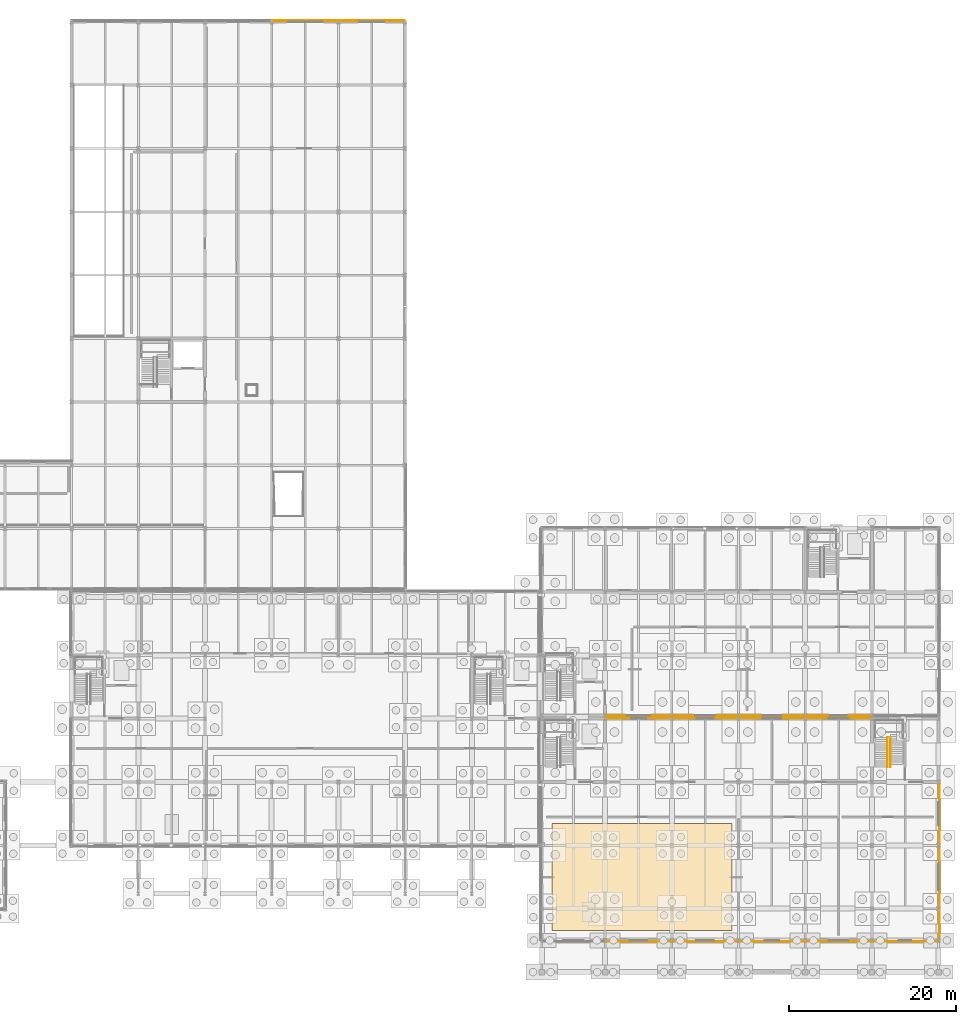
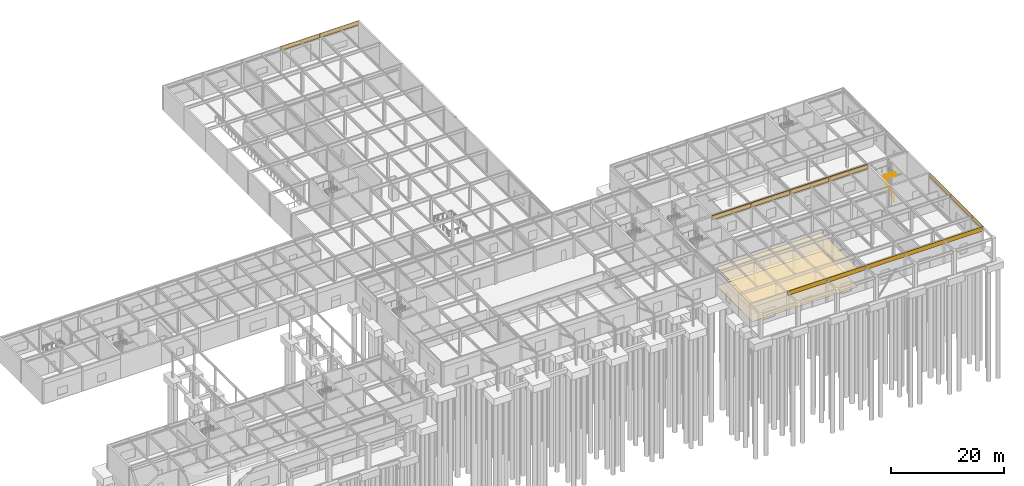
# One storey, part 60 of 62: 20 coverings, 2 railings.
"""IFC4 building model written with IfcOpenShell, lengths in metres."""

import ifcopenshell
import ifcopenshell.guid

model = None  # the IFC model being written
_history = None  # IfcOwnerHistory: only IFC2X3 demands one
_inside = {}  # id of a spatial element -> (the spatial element, [elements in it])
_under = {}  # id of a project, library or spatial element -> (it, [spatial elements below it])
_declared = {}  # id of a project -> (the project, [libraries it declares])
_typed = {}  # id of a type object -> (the type object, [elements of that type])
_made_of = {}  # id of a material, layer set ... -> (it, [elements and type objects made of it])


def new_model(schema):
    """Start an empty IFC model of exactly this schema.

    Asked for "IFC4X3", IfcOpenShell would pick the latest addendum, in which some entities
    have other attributes; the version numbers below select the first issue.
    IFC2X3 requires an IfcOwnerHistory on every rooted entity: one is made here for all.
    """
    global model, _history
    if schema == "IFC4X3":
        model = ifcopenshell.file(schema_version=(4, 3, 0, 0))
    else:
        model = ifcopenshell.file(schema=schema)
    _inside.clear()
    _under.clear()
    _declared.clear()
    _typed.clear()
    _made_of.clear()
    _history = None
    if model.schema == "IFC2X3":
        org = make("IfcOrganization", Name="unknown")
        user = make(
            "IfcPersonAndOrganization",
            ThePerson=make("IfcPerson", FamilyName="unknown"),
            TheOrganization=org,
        )
        app = make(
            "IfcApplication",
            ApplicationDeveloper=org,
            Version="unknown",
            ApplicationFullName="unknown",
            ApplicationIdentifier="unknown",
        )
        _history = make(
            "IfcOwnerHistory",
            OwningUser=user,
            OwningApplication=app,
            ChangeAction="ADDED",
            CreationDate=0,
        )
    return model


def make(cls, **values):
    """One entity of the class cls with the attributes given. An attribute that is None is left unset."""
    return model.create_entity(
        cls, **{name: value for name, value in values.items() if value is not None}
    )


def rooted(cls, **values):
    """An entity with a GlobalId (a new one), such as an element, a storey or a relation."""
    return make(cls, GlobalId=ifcopenshell.guid.new(), OwnerHistory=_history, **values)


def si_unit(unit_type, name, prefix=None):
    """IfcSIUnit, for example si_unit("LENGTHUNIT", "METRE", prefix="MILLI")."""
    return make("IfcSIUnit", UnitType=unit_type, Prefix=prefix, Name=name)


def assignment(units):
    """IfcUnitAssignment: the units of a project."""
    return None if units is None else make("IfcUnitAssignment", Units=units)


def point(xyz):
    """IfcCartesianPoint."""
    return None if xyz is None else make("IfcCartesianPoint", Coordinates=xyz)


def direction(xyz):
    """IfcDirection."""
    return None if xyz is None else make("IfcDirection", DirectionRatios=xyz)


def frame(location, z_axis=None, x_axis=None):
    """IfcAxis2Placement3D, a coordinate frame: its origin and axes. An axis left out is left unset."""
    return make(
        "IfcAxis2Placement3D",
        Location=point(location),
        Axis=direction(z_axis),
        RefDirection=direction(x_axis),
    )


def frame_2d(location, x_axis=None):
    """IfcAxis2Placement2D, a coordinate frame in the plane: its origin and x axis."""
    return make(
        "IfcAxis2Placement2D", Location=point(location), RefDirection=direction(x_axis)
    )


def origin():
    """The frame at (0, 0, 0) with its axes left unset."""
    return frame((0.0, 0.0, 0.0))


def origin_2d():
    """The frame at (0, 0) in the plane with its x axis left unset."""
    return frame_2d((0.0, 0.0))


def place(relative_to, where):
    """IfcLocalPlacement: puts the frame where relative to a parent placement (None: the world)."""
    return make(
        "IfcLocalPlacement", PlacementRelTo=relative_to, RelativePlacement=where
    )


def context(
    kind, dimensions, precision=None, world=None, true_north=None, identifier=None
):
    """IfcGeometricRepresentationContext, for example the 3D "Model" context."""
    return make(
        "IfcGeometricRepresentationContext",
        ContextIdentifier=identifier,
        ContextType=kind,
        CoordinateSpaceDimension=dimensions,
        Precision=precision,
        WorldCoordinateSystem=world,
        TrueNorth=true_north,
    )


def subcontext(parent, identifier, kind, view, scale=None):
    """IfcGeometricRepresentationSubContext, for example "Body" below "Model"."""
    return make(
        "IfcGeometricRepresentationSubContext",
        ContextIdentifier=identifier,
        ContextType=kind,
        ParentContext=parent,
        TargetScale=scale,
        TargetView=view,
    )


def project(units=None, contexts=None):
    """IfcProject with its units and contexts."""
    return rooted(
        "IfcProject",
        Name="project",
        RepresentationContexts=contexts,
        UnitsInContext=assignment(units),
    )


def spatial(cls, under=None, at=None, **own):
    """A site, building, storey or space (cls), placed at a placement, below another one or the project."""
    s = rooted(cls, ObjectPlacement=at, **own)
    if under is not None:
        _under.setdefault(under.id(), (under, []))[1].append(s)
    return s


def polyline(points):
    """IfcPolyline through the points."""
    return make("IfcPolyline", Points=[point(p) for p in points])


def profile(cls, at=None, kind="AREA", **sizes):
    """A parametric profile (cls). Its sizes go by their IFC names, for example OverallWidth=200.0."""
    return make(cls, ProfileType=kind, Position=at, **sizes)


def rectangle(**sizes):
    """IfcRectangleProfileDef."""
    return profile("IfcRectangleProfileDef", **sizes)


def circle(**sizes):
    """IfcCircleProfileDef."""
    return profile("IfcCircleProfileDef", **sizes)


def outline(outer, holes=None, kind="AREA"):
    """IfcArbitraryClosedProfileDef: a profile drawn as a closed curve; with holes, ...WithVoids."""
    if holes is None:
        return make("IfcArbitraryClosedProfileDef", ProfileType=kind, OuterCurve=outer)
    return make(
        "IfcArbitraryProfileDefWithVoids",
        ProfileType=kind,
        OuterCurve=outer,
        InnerCurves=holes,
    )


def extrude(swept, where, along, depth):
    """IfcExtrudedAreaSolid: the profile swept, set in the frame where, extruded along a direction by depth."""
    return make(
        "IfcExtrudedAreaSolid",
        SweptArea=swept,
        Position=where,
        ExtrudedDirection=direction(along),
        Depth=depth,
    )


def shape(context_of_items, identifier, shape_type, items):
    """IfcShapeRepresentation: the items that make up one representation, for example the "Body"."""
    return make(
        "IfcShapeRepresentation",
        ContextOfItems=context_of_items,
        RepresentationIdentifier=identifier,
        RepresentationType=shape_type,
        Items=items,
    )


def material(Name=None, Category=None):
    """IfcMaterial."""
    return make("IfcMaterial", Name=Name, Category=Category)


def layer(
    of_material, thickness, ventilated=None, Name=None, Category=None, Priority=None
):
    """IfcMaterialLayer: one layer of a wall or slab, of a material (None: an air gap)."""
    return make(
        "IfcMaterialLayer",
        Material=of_material,
        LayerThickness=thickness,
        IsVentilated=ventilated,
        Name=Name,
        Category=Category,
        Priority=Priority,
    )


def layer_set(layers, Name=None):
    """IfcMaterialLayerSet."""
    return make("IfcMaterialLayerSet", MaterialLayers=layers, LayerSetName=Name)


def made_of(thing, what):
    """Note that an element or type object is made of a material, layer set ...; save() writes the relation."""
    if what is not None:
        _made_of.setdefault(what.id(), (what, []))[1].append(thing)
    return thing


def type_object(cls, material=None, **own):
    """A type object (cls), such as IfcWallType, which elements share."""
    return made_of(rooted(cls, **own), material)


def element(
    cls,
    number,
    at=None,
    inside=None,
    cuts=None,
    type_object=None,
    material=None,
    context=None,
    identifier="Body",
    shape_type=None,
    held_by="IfcProductDefinitionShape",
    body=None,
    shapes=None,
    **own,
):
    """One element of the class cls, such as IfcWall. Its Tag is "e" and its number.

    at: its placement. inside: the storey or other place that contains it. cuts: it is an
    opening in that element (IfcRelVoidsElement). A single representation is given by context,
    identifier, shape_type and body (its items); several are given by shapes. held_by: the class
    of the entity that holds the representations. save() writes the other relations.
    """
    e = rooted(cls, Tag="e%d" % number, ObjectPlacement=at, **own)
    if body is not None:
        shapes = [shape(context, identifier, shape_type, body)]
    if shapes is not None:
        e.Representation = make(held_by, Representations=shapes)
    if inside is not None:
        _inside.setdefault(inside.id(), (inside, []))[1].append(e)
    if cuts is not None:
        rooted(
            "IfcRelVoidsElement", RelatingBuildingElement=cuts, RelatedOpeningElement=e
        )
    if type_object is not None:
        _typed.setdefault(type_object.id(), (type_object, []))[1].append(e)
    return made_of(e, material)


def aggregate(whole, parts):
    """IfcRelAggregates: a whole, such as a stair, and the parts it consists of."""
    return rooted("IfcRelAggregates", RelatingObject=whole, RelatedObjects=parts)


def save(model, path):
    """Write the relations noted so far, then the file.

    IfcRelAggregates (storeys below a building ...), IfcRelContainedInSpatialStructure (elements
    in a storey), IfcRelDefinesByType, IfcRelAssociatesMaterial and IfcRelDeclares: one each for
    every whole, place, type object, material and project.
    """
    for whole, parts in _under.values():
        aggregate(whole, parts)
    for where, things in _inside.values():
        rooted(
            "IfcRelContainedInSpatialStructure",
            RelatedElements=things,
            RelatingStructure=where,
        )
    for kind, things in _typed.values():
        rooted("IfcRelDefinesByType", RelatedObjects=things, RelatingType=kind)
    for what, things in _made_of.values():
        rooted("IfcRelAssociatesMaterial", RelatedObjects=things, RelatingMaterial=what)
    for by, libraries in _declared.values():
        rooted("IfcRelDeclares", RelatingContext=by, RelatedDefinitions=libraries)
    model.write(path)


model = new_model("IFC4")

# Units and contexts
model_context = context("Model", 3, precision=1e-05, world=origin(), true_north=direction((0.0, 1.0)))
body_context = subcontext(model_context, "Body", "Model", "MODEL_VIEW")
ifc_project = project(units=[si_unit("LENGTHUNIT", "METRE"), si_unit("AREAUNIT", "SQUARE_METRE"), si_unit("VOLUMEUNIT", "CUBIC_METRE"), si_unit("PLANEANGLEUNIT", "RADIAN"), si_unit("MASSUNIT", "GRAM", prefix="KILO")], contexts=[model_context])

# Site, building, storey
site_placement = place(None, origin())
site = spatial("IfcSite", under=ifc_project, at=site_placement, CompositionType="ELEMENT")
building_placement = place(site_placement, origin())
building = spatial("IfcBuilding", under=site, at=building_placement, Name="Zulena Civic Courthouse", CompositionType="ELEMENT")
storey_placement = place(building_placement, origin())
storey = spatial("IfcBuildingStorey", under=building, at=storey_placement, Name="L00", CompositionType="ELEMENT", Elevation=0.0)

# Coverings
ifc_material_1 = material(Name="Perforated acoustic mineral-fibre ceiling tile", Category="concrete")
ifc_layer_1 = layer(ifc_material_1, 0.02490234375)
ifc_layer_set_1 = layer_set([ifc_layer_1], Name="Perforated acoustic mineral-fibre ceiling tile")
covering_type_1 = type_object("IfcCoveringType", Name="AcousticCeiling_25", PredefinedType="CEILING", material=ifc_layer_set_1)
covering_1_placement = place(storey_placement, frame((0.0, 0.0, 4.02001953125)))
element("IfcCovering", 1, at=covering_1_placement, inside=storey, type_object=covering_type_1, Name="ceil:L00:209", PredefinedType="CEILING", context=body_context, shape_type="SweptSolid", body=[
    extrude(outline(polyline([(125.60009765625, 5.0), (147.199951171875, 5.0), (147.199951171875, 17.800048828125), (125.60009765625, 17.800048828125), (125.60009765625, 5.0)])), origin(), (0.0, 0.0, 1.0), 0.02490234375),
])
ifc_material_2 = material(Name="White architectural precast concrete C40/50", Category="concrete")
ifc_layer_2 = layer(ifc_material_2, 0.0849609375)
ifc_layer_set_2 = layer_set([ifc_layer_2], Name="White architectural precast concrete C40/50")
covering_type_2 = type_object("IfcCoveringType", Name="PrecastSpandrelCladding_85", PredefinedType="CLADDING", material=ifc_layer_set_2)
for number, where, z_axis, x_axis, name in (
    (2, (136.0, 30.52001953125, 4.25), (0.0, 0.0, 1.0), (1.0, 0.0, 0.0), "clad:sp:V1:L00:1:1"),
    (3, (144.0, 30.52001953125, 4.25), (0.0, 0.0, 1.0), (1.0, 0.0, 0.0), "clad:sp:V1:L00:1:2"),
    (4, (152.0, 30.52001953125, 4.25), (0.0, 0.0, 1.0), (1.0, 0.0, 0.0), "clad:sp:V1:L00:1:3"),
    (5, (160.0, 30.52001953125, 4.25), (0.0, 0.0, 1.0), (1.0, 0.0, 0.0), "clad:sp:V1:L00:1:4"),
):
    element("IfcCovering", number, at=place(storey_placement, frame(where, z_axis=z_axis, x_axis=x_axis)), inside=storey, type_object=covering_type_2, Name=name, PredefinedType="CLADDING", context=body_context, shape_type="SweptSolid", body=[
        extrude(rectangle(XDim=7.9599609375, YDim=0.0849609375, at=origin_2d()), origin(), (0.0, 0.0, 1.0), 0.93994140625),
    ])
for number, where, z_axis, x_axis, name in (
    (6, (172.1201171875, 19.0, 4.25), (0.0, 0.0, 1.0), (0.0, -1.0, 0.0), "clad:sp:V1:L00:2:1"),
    (7, (172.1201171875, 11.39990234375, 4.25), (0.0, 0.0, 1.0), (0.0, -1.0, 0.0), "clad:sp:V1:L00:2:2"),
):
    element("IfcCovering", number, at=place(storey_placement, frame(where, z_axis=z_axis, x_axis=x_axis)), inside=storey, type_object=covering_type_2, Name=name, PredefinedType="CLADDING", context=body_context, shape_type="SweptSolid", body=[
        extrude(rectangle(XDim=7.56005859375, YDim=0.0849609375, at=origin_2d()), origin(), (0.0, 0.0, 1.0), 0.93994140625),
    ])
covering_2_placement = place(storey_placement, frame((172.1201171875, 5.699951171875, 4.25), z_axis=(0.0, 0.0, 1.0), x_axis=(0.0, -1.0, 0.0)))
element("IfcCovering", 8, at=covering_2_placement, inside=storey, type_object=covering_type_2, Name="clad:sp:V1:L00:2:3", PredefinedType="CLADDING", context=body_context, shape_type="SweptSolid", body=[
    extrude(rectangle(XDim=3.760009765625, YDim=0.0849609375, at=origin_2d()), origin(), (0.0, 0.0, 1.0), 0.93994140625),
])
for number, where, z_axis, x_axis, name in (
    (9, (168.0, 3.679931640625, 4.25), (0.0, 0.0, 1.0), (-1.0, 0.0, 0.0), "clad:sp:V1:L00:3:0"),
    (10, (160.0, 3.679931640625, 4.25), (0.0, 0.0, 1.0), (-1.0, 0.0, 0.0), "clad:sp:V1:L00:3:1"),
    (11, (152.0, 3.679931640625, 4.25), (0.0, 0.0, 1.0), (-1.0, 0.0, 0.0), "clad:sp:V1:L00:3:2"),
    (12, (144.0, 3.679931640625, 4.25), (0.0, 0.0, 1.0), (-1.0, 0.0, 0.0), "clad:sp:V1:L00:3:3"),
    (13, (136.0, 3.679931640625, 4.25), (0.0, 0.0, 1.0), (-1.0, 0.0, 0.0), "clad:sp:V1:L00:3:4"),
    (14, (160.0, 30.679931640625, 4.25), (0.0, 0.0, 1.0), (-1.0, 0.0, 0.0), "clad:sp:V3:L00:3:1"),
    (15, (152.0, 30.679931640625, 4.25), (0.0, 0.0, 1.0), (-1.0, 0.0, 0.0), "clad:sp:V3:L00:3:2"),
    (16, (144.0, 30.679931640625, 4.25), (0.0, 0.0, 1.0), (-1.0, 0.0, 0.0), "clad:sp:V3:L00:3:3"),
    (17, (136.0, 30.679931640625, 4.25), (0.0, 0.0, 1.0), (-1.0, 0.0, 0.0), "clad:sp:V3:L00:3:4"),
    (18, (96.0, 114.1201171875, 4.25), (0.0, 0.0, 1.0), (1.0, 0.0, 0.0), "clad:sp:V5:L00:3:3"),
    (19, (104.0, 114.1201171875, 4.25), (0.0, 0.0, 1.0), (1.0, 0.0, 0.0), "clad:sp:V5:L00:3:4"),
):
    element("IfcCovering", number, at=place(storey_placement, frame(where, z_axis=z_axis, x_axis=x_axis)), inside=storey, type_object=covering_type_2, Name=name, PredefinedType="CLADDING", context=body_context, shape_type="SweptSolid", body=[
        extrude(rectangle(XDim=7.9599609375, YDim=0.0849609375, at=origin_2d()), origin(), (0.0, 0.0, 1.0), 0.93994140625),
    ])

# Railings
ifc_material_3 = material(Name="Brushed architectural steel ASTM A36", Category="steel")
railing_type = type_object("IfcRailingType", Name="StairHandrail_920", PredefinedType="HANDRAIL", material=ifc_material_3)
railing_1_placement = place(storey_placement, frame((165.85009765625, 24.580078125, 0.0)))
element("IfcRailing", 20, at=railing_1_placement, inside=storey, type_object=railing_type, Name="hr:K1B:L00:1", PredefinedType="HANDRAIL", context=body_context, shape_type="SweptSolid", body=[
    extrude(circle(Radius=0.02392578125, at=origin_2d()), frame((0.0, 0.003173828125, 0.898193359375), z_axis=(0.0, 0.797551790998, 0.603250479218), x_axis=(-1.0, 0.0, 0.0)), (0.0, 0.0, 1.0), 4.4677734375),
    extrude(circle(Radius=0.02099609375, at=origin_2d()), origin(), (0.0, 0.0, 1.0), 0.867919921875),
    extrude(circle(Radius=0.02099609375, at=origin_2d()), frame((0.0, 0.892333984375, 0.675048828125)), (0.0, 0.0, 1.0), 0.867919921875),
    extrude(circle(Radius=0.02099609375, at=origin_2d()), frame((0.0, 1.78466796875, 1.35009765625)), (0.0, 0.0, 1.0), 0.867919921875),
    extrude(circle(Radius=0.02099609375, at=origin_2d()), frame((0.0, 2.67724609375, 2.02490234375)), (0.0, 0.0, 1.0), 0.867919921875),
    extrude(circle(Radius=0.02099609375, at=origin_2d()), frame((0.0, 3.569580078125, 2.699951171875)), (0.0, 0.0, 1.0), 0.867919921875),
])
railing_2_placement = place(storey_placement, frame((166.25, 28.149658203125, 2.699951171875)))
element("IfcRailing", 21, at=railing_2_placement, inside=storey, type_object=railing_type, Name="hr:K1B:L00:2", PredefinedType="HANDRAIL", context=body_context, shape_type="SweptSolid", body=[
    extrude(circle(Radius=0.02392578125, at=origin_2d()), frame((0.0, -0.003173828125, 0.898193359375), z_axis=(0.0, -0.797551790998, 0.603250479218), x_axis=(1.0, 0.0, 0.0)), (0.0, 0.0, 1.0), 4.4677734375),
    extrude(circle(Radius=0.02099609375, at=origin_2d()), origin(), (0.0, 0.0, 1.0), 0.867919921875),
    extrude(circle(Radius=0.02099609375, at=origin_2d()), frame((0.0, -0.892333984375, 0.675048828125)), (0.0, 0.0, 1.0), 0.867919921875),
    extrude(circle(Radius=0.02099609375, at=origin_2d()), frame((0.0, -1.78466796875, 1.35009765625)), (0.0, 0.0, 1.0), 0.867919921875),
    extrude(circle(Radius=0.02099609375, at=origin_2d()), frame((0.0, -2.67724609375, 2.02490234375)), (0.0, 0.0, 1.0), 0.867919921875),
    extrude(circle(Radius=0.02099609375, at=origin_2d()), frame((0.0, -3.569580078125, 2.699951171875)), (0.0, 0.0, 1.0), 0.867919921875),
])

# Covering
ifc_material_4 = material(Name="Honed travertine stone flooring", Category="masonry")
ifc_layer_3 = layer(ifc_material_4, 0.030029296875)
ifc_layer_set_3 = layer_set([ifc_layer_3], Name="Honed travertine stone flooring")
covering_type_3 = type_object("IfcCoveringType", Name="TravertineFlooring_30", PredefinedType="FLOORING", material=ifc_layer_set_3)
covering_3_placement = place(storey_placement, origin())
element("IfcCovering", 22, at=covering_3_placement, inside=storey, type_object=covering_type_3, Name="floor:L00:209", PredefinedType="FLOORING", context=body_context, shape_type="SweptSolid", body=[
    extrude(outline(polyline([(125.60009765625, 5.0), (147.199951171875, 5.0), (147.199951171875, 17.800048828125), (125.60009765625, 17.800048828125), (125.60009765625, 5.0)])), origin(), (0.0, 0.0, 1.0), 0.030029296875),
])

save(model, "model.ifc")
